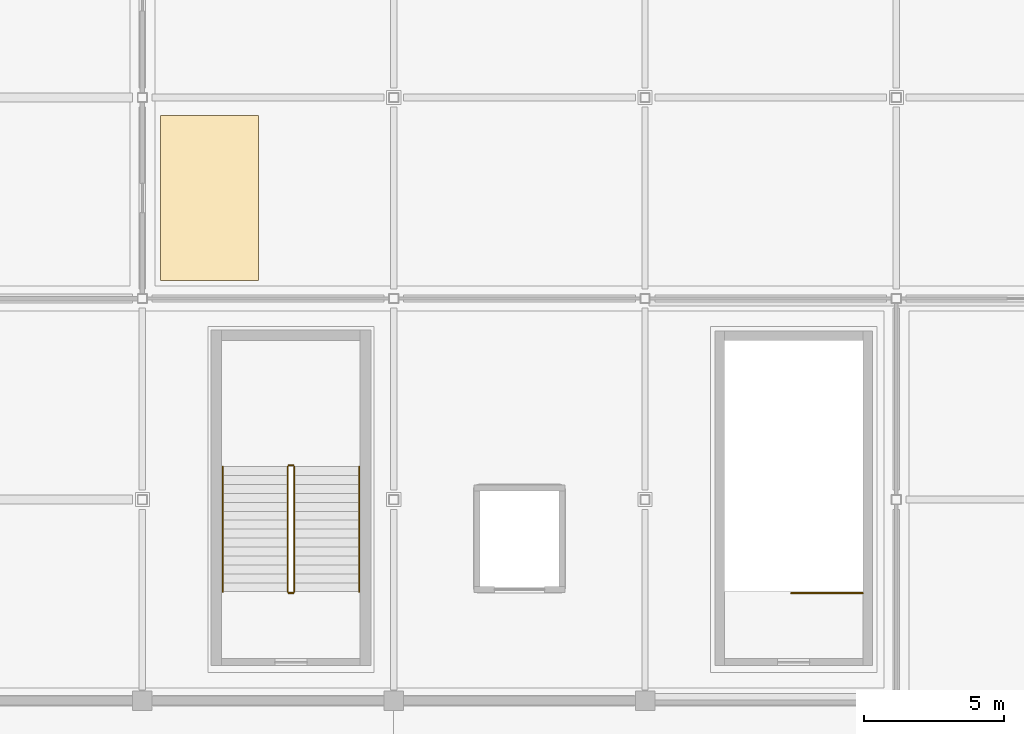
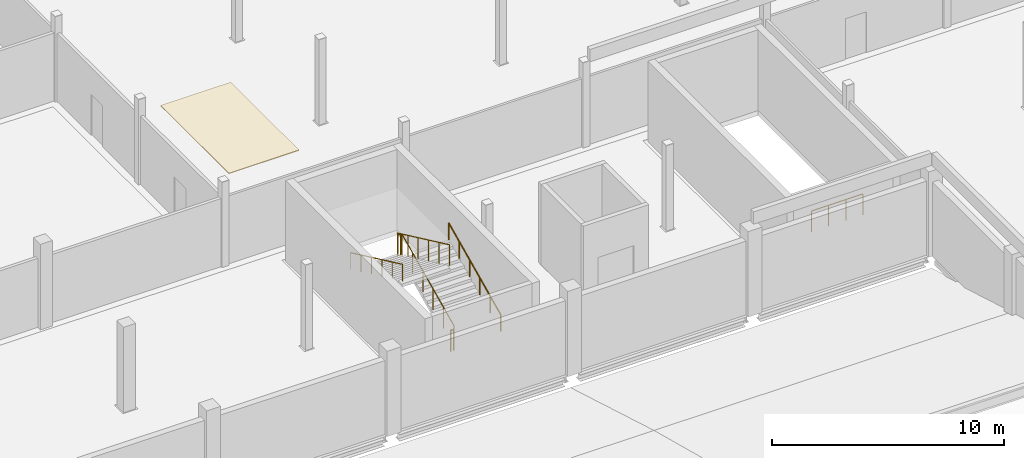
# One storey, part 116 of 124: 7 railings, 1 covering.
"""IFC4 building model written with IfcOpenShell, lengths in metres."""

from ifc_helpers import new_model, si_unit, direction, frame, origin, origin_2d, place, context, subcontext, project, spatial, polyline, circle, outline, extrude, material, layer, layer_set, type_object, element, save


model = new_model("IFC4")

# Units and contexts
model_context = context("Model", 3, precision=1e-05, world=origin(), true_north=direction((0.0, 1.0)))
body_context = subcontext(model_context, "Body", "Model", "MODEL_VIEW")
ifc_project = project(units=[si_unit("LENGTHUNIT", "METRE"), si_unit("AREAUNIT", "SQUARE_METRE"), si_unit("VOLUMEUNIT", "CUBIC_METRE"), si_unit("PLANEANGLEUNIT", "RADIAN"), si_unit("MASSUNIT", "GRAM", prefix="KILO")], contexts=[model_context])

# Site, building, storey
site_placement = place(None, origin())
site = spatial("IfcSite", under=ifc_project, at=site_placement, CompositionType="ELEMENT")
building_placement = place(site_placement, origin())
building = spatial("IfcBuilding", under=site, at=building_placement, Name="Celestram Park Convention Centre", CompositionType="ELEMENT")
storey_placement = place(building_placement, frame((0.0, 0.0, 15.300048828125)))
storey = spatial("IfcBuildingStorey", under=building, at=storey_placement, Name="L03", CompositionType="ELEMENT", Elevation=15.300048828125)

# Covering
ifc_material_1 = material(Name="Perforated Acoustic Mineral-Fibre Baffle Ceiling", Category="gypsum")
ifc_layer_1 = layer(ifc_material_1, 0.0400390625)
ifc_layer_set_1 = layer_set([ifc_layer_1], Name="Perforated Acoustic Mineral-Fibre Baffle Ceiling")
covering_type = type_object("IfcCoveringType", Name="ARC-COV-CLG040", PredefinedType="CEILING", material=ifc_layer_set_1)
covering_placement = place(storey_placement, frame((0.0, 0.0, 4.159912109375)))
element("IfcCovering", 1, at=covering_placement, inside=storey, type_object=covering_type, Name="Park Terrace Dining Salon acoustic baffle ceiling", PredefinedType="CEILING", context=body_context, shape_type="SweptSolid", body=[
    extrude(outline(polyline([(99.64990234375, 123.050048828125), (103.14990234375, 123.050048828125), (103.14990234375, 128.949951171875), (99.64990234375, 128.949951171875), (99.64990234375, 123.050048828125)])), origin(), (0.0, 0.0, 1.0), 0.0400390625),
])

# Railings
ifc_material_2 = material(Name="Stainless Steel AISI 316L & Laminated Glass", Category="steel")
ifc_layer_2 = layer(ifc_material_2, 0.06005859375)
ifc_layer_set_2 = layer_set([ifc_layer_2], Name="Stainless Steel AISI 316L & Laminated Glass")
railing_type_1 = type_object("IfcRailingType", Name="ARC-RL-GRD1120", PredefinedType="GUARDRAIL", material=ifc_layer_set_2)
railing_1_placement = place(storey_placement, frame((104.43603515625, 111.89990234375, 0.14990234375)))
element("IfcRailing", 2, at=railing_1_placement, inside=storey, type_object=railing_type_1, Name="L03 ST-03 stair guard 1", PredefinedType="GUARDRAIL", context=body_context, shape_type="SweptSolid", body=[
    extrude(circle(Radius=0.02392578125, at=origin_2d()), frame((0.0, 0.0, 1.09619140625), z_axis=(0.0, 0.905450639465, 0.424451574969), x_axis=(-1.0, 0.0, 0.0)), (0.0, 0.0, 1.0), 4.94775390625),
    extrude(circle(Radius=0.02099609375, at=origin_2d()), origin(), (0.0, 0.0, 1.0), 1.072021484375),
    extrude(circle(Radius=0.02099609375, at=origin_2d()), frame((0.0, 0.89599609375, 0.419921875)), (0.0, 0.0, 1.0), 1.072021484375),
    extrude(circle(Radius=0.02099609375, at=origin_2d()), frame((0.0, 1.7919921875, 0.840087890625)), (0.0, 0.0, 1.0), 1.072021484375),
    extrude(circle(Radius=0.02099609375, at=origin_2d()), frame((0.0, 2.68798828125, 1.260009765625)), (0.0, 0.0, 1.0), 1.072021484375),
    extrude(circle(Radius=0.02099609375, at=origin_2d()), frame((0.0, 3.583984375, 1.68017578125)), (0.0, 0.0, 1.0), 1.072021484375),
    extrude(circle(Radius=0.02099609375, at=origin_2d()), frame((0.0, 4.47998046875, 2.10009765625)), (0.0, 0.0, 1.0), 1.072021484375),
])
railing_2_placement = place(storey_placement, frame((104.39990234375, 116.429931640625, 2.25)))
element("IfcRailing", 3, at=railing_2_placement, inside=storey, type_object=railing_type_1, Name="L03 ST-03 stair guard 2", PredefinedType="GUARDRAIL", context=body_context, shape_type="SweptSolid", body=[
    extrude(circle(Radius=0.02392578125, at=origin_2d()), frame((0.0, 0.0, 1.09619140625), z_axis=(-1.0, 0.0, 0.0), x_axis=(0.0, -1.0, 0.0)), (0.0, 0.0, 1.0), 0.159912109375),
    extrude(circle(Radius=0.02099609375, at=origin_2d()), origin(), (0.0, 0.0, 1.0), 1.072021484375),
    extrude(circle(Radius=0.02099609375, at=origin_2d()), frame((-0.159912109375, 0.0, 0.0)), (0.0, 0.0, 1.0), 1.072021484375),
])
railing_3_placement = place(storey_placement, frame((104.2041015625, 116.3798828125, 2.39990234375)))
element("IfcRailing", 4, at=railing_3_placement, inside=storey, type_object=railing_type_1, Name="L03 ST-03 stair guard 3", PredefinedType="GUARDRAIL", context=body_context, shape_type="SweptSolid", body=[
    extrude(circle(Radius=0.02392578125, at=origin_2d()), frame((0.0, 0.0, 1.09619140625), z_axis=(0.0, -0.905450639465, 0.424451574969), x_axis=(1.0, 0.0, 0.0)), (0.0, 0.0, 1.0), 4.94775390625),
    extrude(circle(Radius=0.02099609375, at=origin_2d()), origin(), (0.0, 0.0, 1.0), 1.072021484375),
    extrude(circle(Radius=0.02099609375, at=origin_2d()), frame((0.0, -0.89599609375, 0.419921875)), (0.0, 0.0, 1.0), 1.072021484375),
    extrude(circle(Radius=0.02099609375, at=origin_2d()), frame((0.0, -1.7919921875, 0.840087890625)), (0.0, 0.0, 1.0), 1.072021484375),
    extrude(circle(Radius=0.02099609375, at=origin_2d()), frame((0.0, -2.68798828125, 1.260009765625)), (0.0, 0.0, 1.0), 1.072021484375),
    extrude(circle(Radius=0.02099609375, at=origin_2d()), frame((0.0, -3.583984375, 1.68017578125)), (0.0, 0.0, 1.0), 1.072021484375),
    extrude(circle(Radius=0.02099609375, at=origin_2d()), frame((0.0, -4.47998046875, 2.10009765625)), (0.0, 0.0, 1.0), 1.072021484375),
])
railing_4_placement = place(storey_placement, frame((104.39990234375, 111.85009765625, 0.0)))
element("IfcRailing", 5, at=railing_4_placement, inside=storey, type_object=railing_type_1, Name="L03 ST-03 stair guard 4", PredefinedType="GUARDRAIL", context=body_context, shape_type="SweptSolid", body=[
    extrude(circle(Radius=0.02392578125, at=origin_2d()), frame((0.0, 0.0, 1.09619140625), z_axis=(-1.0, 0.0, 0.0), x_axis=(0.0, -1.0, 0.0)), (0.0, 0.0, 1.0), 0.159912109375),
    extrude(circle(Radius=0.02099609375, at=origin_2d()), origin(), (0.0, 0.0, 1.0), 1.072021484375),
    extrude(circle(Radius=0.02099609375, at=origin_2d()), frame((-0.159912109375, 0.0, 0.0)), (0.0, 0.0, 1.0), 1.072021484375),
])
railing_5_placement = place(storey_placement, frame((124.800048828125, 111.85009765625, 0.0)))
element("IfcRailing", 6, at=railing_5_placement, inside=storey, type_object=railing_type_1, Name="L03 ST-20 top well guard 1", PredefinedType="GUARDRAIL", context=body_context, shape_type="SweptSolid", body=[
    extrude(circle(Radius=0.02392578125, at=origin_2d()), frame((0.0, 0.0, 1.09619140625), z_axis=(-1.0, 0.0, 0.0), x_axis=(0.0, -1.0, 0.0)), (0.0, 0.0, 1.0), 2.56005859375),
    extrude(circle(Radius=0.02099609375, at=origin_2d()), origin(), (0.0, 0.0, 1.0), 1.072021484375),
    extrude(circle(Radius=0.02099609375, at=origin_2d()), frame((-0.853271484375, 0.0, 0.0)), (0.0, 0.0, 1.0), 1.072021484375),
    extrude(circle(Radius=0.02099609375, at=origin_2d()), frame((-1.706787109375, 0.0, 0.0)), (0.0, 0.0, 1.0), 1.072021484375),
    extrude(circle(Radius=0.02099609375, at=origin_2d()), frame((-2.56005859375, 0.0, 0.0)), (0.0, 0.0, 1.0), 1.072021484375),
])
ifc_material_3 = material(Name="Brushed Stainless Steel AISI 304", Category="steel")
ifc_layer_3 = layer(ifc_material_3, 0.048095703125)
ifc_layer_set_3 = layer_set([ifc_layer_3], Name="Brushed Stainless Steel AISI 304")
railing_type_2 = type_object("IfcRailingType", Name="ARC-RL-HND915", PredefinedType="HANDRAIL", material=ifc_layer_set_3)
railing_6_placement = place(storey_placement, frame((106.763916015625, 111.89990234375, 0.14990234375)))
element("IfcRailing", 7, at=railing_6_placement, inside=storey, type_object=railing_type_2, Name="L03 ST-03 stair handrail 1", PredefinedType="HANDRAIL", context=body_context, shape_type="SweptSolid", body=[
    extrude(circle(Radius=0.02392578125, at=origin_2d()), frame((0.0, 0.0, 0.8759765625), z_axis=(0.0, 0.905450639465, 0.424451574969), x_axis=(-1.0, 0.0, 0.0)), (0.0, 0.0, 1.0), 4.94775390625),
    extrude(circle(Radius=0.02099609375, at=origin_2d()), origin(), (0.0, 0.0, 1.0), 0.851806640625),
    extrude(circle(Radius=0.02099609375, at=origin_2d()), frame((0.0, 0.89599609375, 0.419921875)), (0.0, 0.0, 1.0), 0.851806640625),
    extrude(circle(Radius=0.02099609375, at=origin_2d()), frame((0.0, 1.7919921875, 0.840087890625)), (0.0, 0.0, 1.0), 0.851806640625),
    extrude(circle(Radius=0.02099609375, at=origin_2d()), frame((0.0, 2.68798828125, 1.260009765625)), (0.0, 0.0, 1.0), 0.851806640625),
    extrude(circle(Radius=0.02099609375, at=origin_2d()), frame((0.0, 3.583984375, 1.68017578125)), (0.0, 0.0, 1.0), 0.851806640625),
    extrude(circle(Radius=0.02099609375, at=origin_2d()), frame((0.0, 4.47998046875, 2.10009765625)), (0.0, 0.0, 1.0), 0.851806640625),
])
railing_7_placement = place(storey_placement, frame((101.8759765625, 116.3798828125, 2.39990234375)))
element("IfcRailing", 8, at=railing_7_placement, inside=storey, type_object=railing_type_2, Name="L03 ST-03 stair handrail 2", PredefinedType="HANDRAIL", context=body_context, shape_type="SweptSolid", body=[
    extrude(circle(Radius=0.02392578125, at=origin_2d()), frame((0.0, 0.0, 0.8759765625), z_axis=(0.0, -0.905450639465, 0.424451574969), x_axis=(1.0, 0.0, 0.0)), (0.0, 0.0, 1.0), 4.94775390625),
    extrude(circle(Radius=0.02099609375, at=origin_2d()), origin(), (0.0, 0.0, 1.0), 0.851806640625),
    extrude(circle(Radius=0.02099609375, at=origin_2d()), frame((0.0, -0.89599609375, 0.419921875)), (0.0, 0.0, 1.0), 0.851806640625),
    extrude(circle(Radius=0.02099609375, at=origin_2d()), frame((0.0, -1.7919921875, 0.840087890625)), (0.0, 0.0, 1.0), 0.851806640625),
    extrude(circle(Radius=0.02099609375, at=origin_2d()), frame((0.0, -2.68798828125, 1.260009765625)), (0.0, 0.0, 1.0), 0.851806640625),
    extrude(circle(Radius=0.02099609375, at=origin_2d()), frame((0.0, -3.583984375, 1.68017578125)), (0.0, 0.0, 1.0), 0.851806640625),
    extrude(circle(Radius=0.02099609375, at=origin_2d()), frame((0.0, -4.47998046875, 2.10009765625)), (0.0, 0.0, 1.0), 0.851806640625),
])

save(model, "model.ifc")
